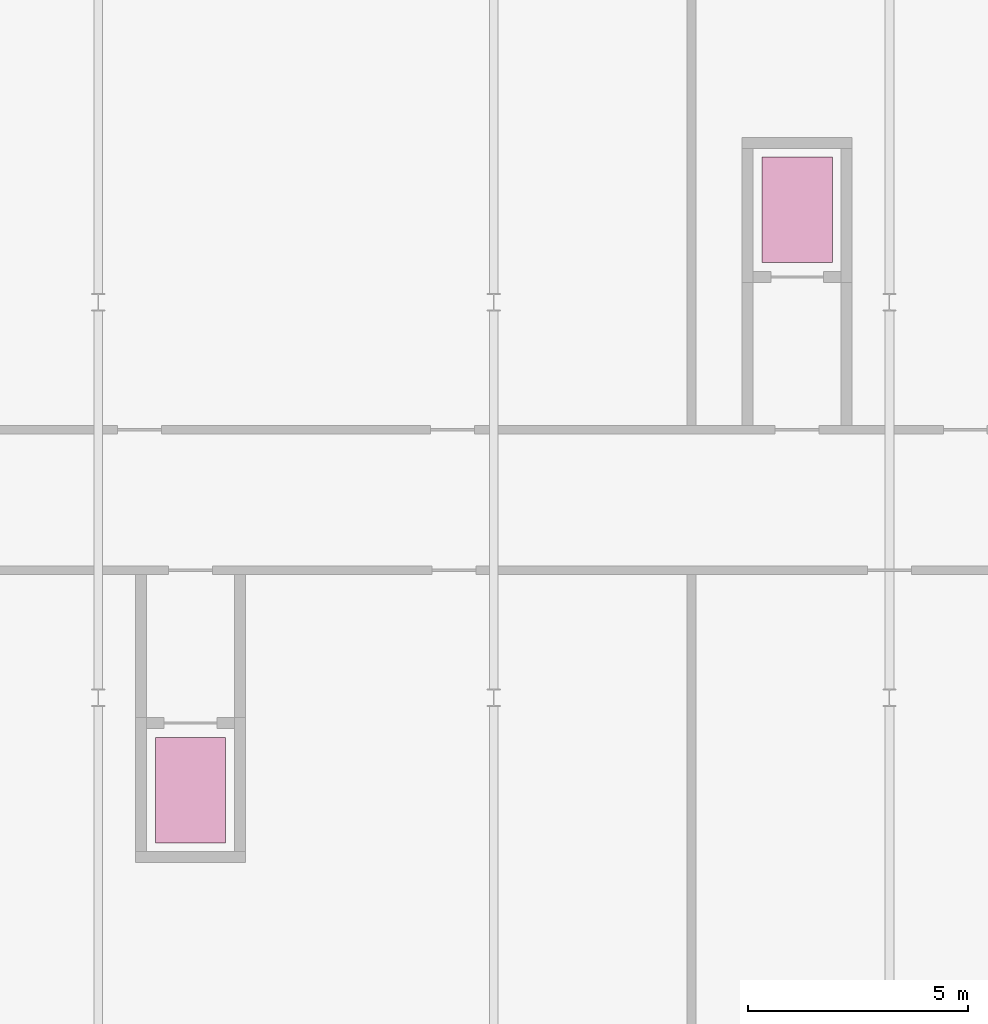
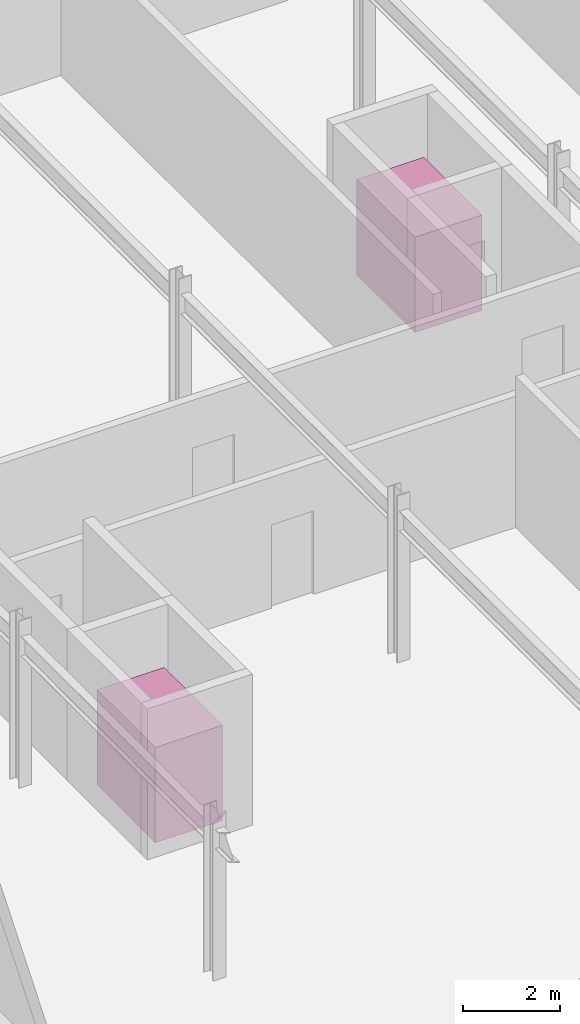
# One storey, part 10 of 10: 2 transport elements.
"""IFC4 building model written with IfcOpenShell, lengths in metres."""

from ifc_helpers import new_model, si_unit, direction, frame, origin, origin_2d, place, context, subcontext, project, spatial, rectangle, extrude, material, type_object, element, save


model = new_model("IFC4")

# Units and contexts
model_context = context("Model", 3, precision=1e-05, world=origin(), true_north=direction((0.0, 1.0)))
body_context = subcontext(model_context, "Body", "Model", "MODEL_VIEW")
ifc_project = project(units=[si_unit("LENGTHUNIT", "METRE"), si_unit("AREAUNIT", "SQUARE_METRE"), si_unit("VOLUMEUNIT", "CUBIC_METRE"), si_unit("PLANEANGLEUNIT", "RADIAN"), si_unit("MASSUNIT", "GRAM", prefix="KILO")], contexts=[model_context])

# Site, building, storey
site_placement = place(None, origin())
site = spatial("IfcSite", under=ifc_project, at=site_placement, CompositionType="ELEMENT")
building_placement = place(site_placement, origin())
building = spatial("IfcBuilding", under=site, at=building_placement, Name="Kajstack Hotel Tower", CompositionType="ELEMENT")
storey_placement = place(building_placement, frame((0.0, 0.0, 313.60009765625)))
storey = spatial("IfcBuildingStorey", under=building, at=storey_placement, Name="L79", CompositionType="ELEMENT", Elevation=313.60009765625)

# Transport elements
ifc_material = material(Name="Stainless steel", Category="steel")
transport_element_type = type_object("IfcTransportElementType", Name="Crown service lift", PredefinedType="ELEVATOR", material=ifc_material)
for number, where, z_axis, x_axis, name in (
    (1, (-6.89990234375, -6.60009765625, 0.0), (0.0, 0.0, 1.0), (1.0, 0.0, 0.0), "Crown service lift CL1"),
    (2, (6.89990234375, 6.60009765625, 0.0), (0.0, 0.0, 1.0), (1.0, 0.0, 0.0), "Crown service lift CL2"),
):
    element("IfcTransportElement", number, at=place(storey_placement, frame(where, z_axis=z_axis, x_axis=x_axis)), inside=storey, type_object=transport_element_type, Name=name, PredefinedType="ELEVATOR", context=body_context, shape_type="SweptSolid", body=[
        extrude(rectangle(XDim=1.60009765625, YDim=2.39990234375, at=origin_2d()), origin(), (0.0, 0.0, 1.0), 2.39990234375),
    ])

save(model, "model.ifc")
